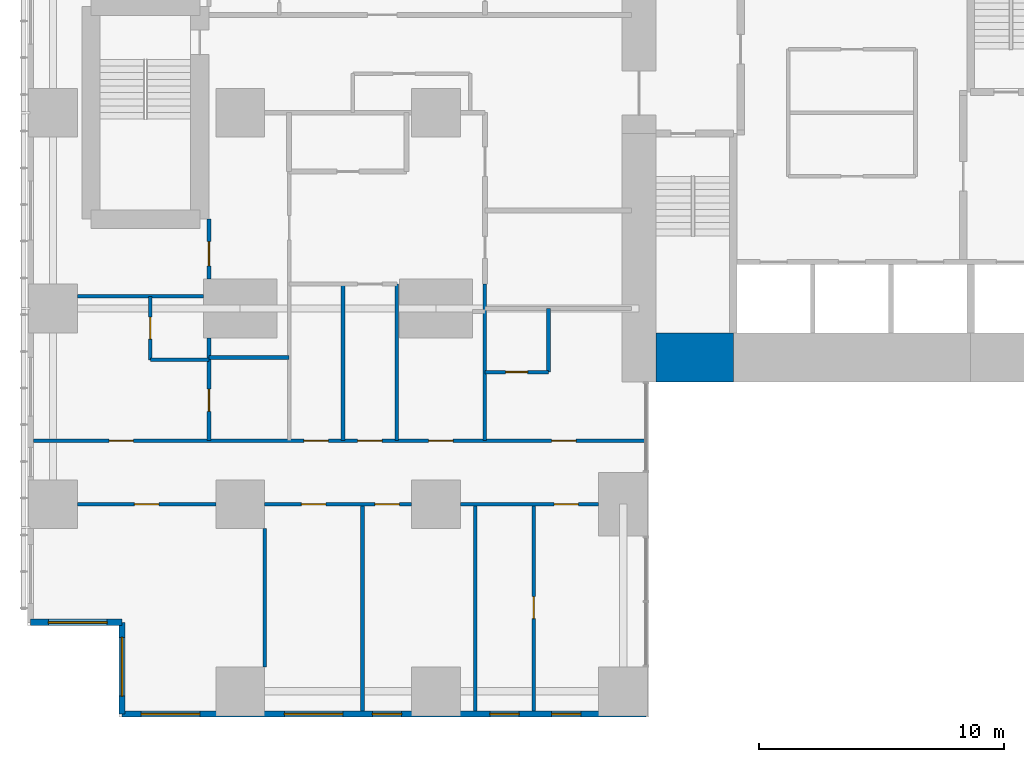
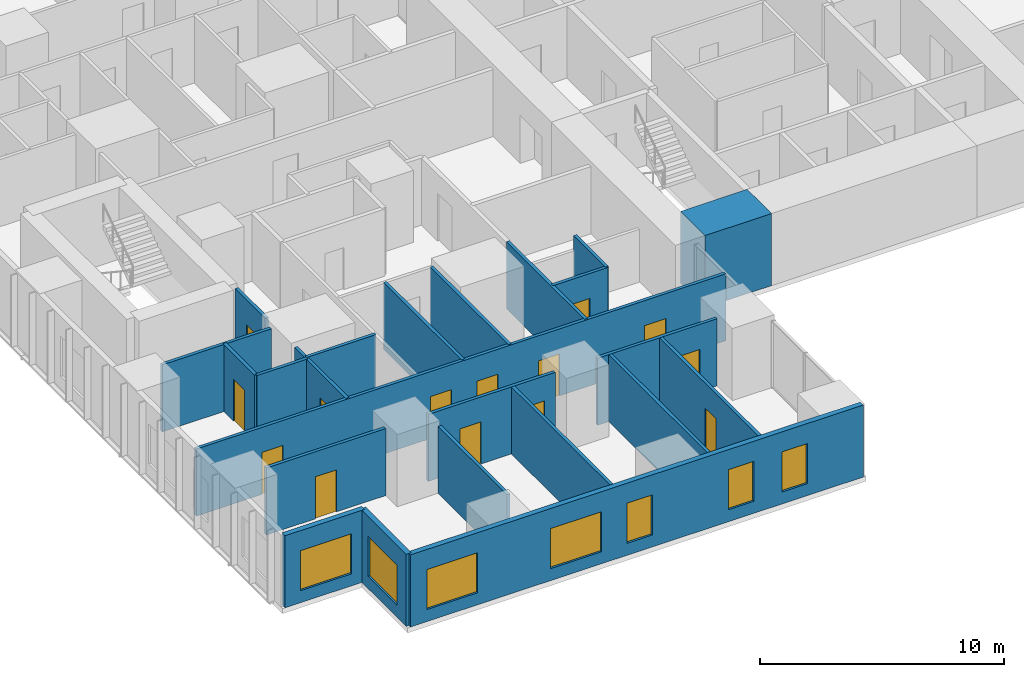
# One storey, part 12 of 20: 23 walls, 14 doors, 7 windows, 21 openings.
"""IFC4 building model written with IfcOpenShell, lengths in metres."""

from ifc_helpers import new_model, si_unit, direction, frame, frame_2d, origin, place, context, subcontext, project, spatial, rectangle, extrude, material, layer, layer_set, type_object, element, fill, save


model = new_model("IFC4")

# Units and contexts
model_context = context("Model", 3, precision=1e-05, world=origin(), true_north=direction((0.0, 1.0)))
body_context = subcontext(model_context, "Body", "Model", "MODEL_VIEW")
ifc_project = project(units=[si_unit("LENGTHUNIT", "METRE"), si_unit("AREAUNIT", "SQUARE_METRE"), si_unit("VOLUMEUNIT", "CUBIC_METRE"), si_unit("PLANEANGLEUNIT", "RADIAN"), si_unit("MASSUNIT", "GRAM", prefix="KILO")], contexts=[model_context])

# Site, building, storey
site_placement = place(None, origin())
site = spatial("IfcSite", under=ifc_project, at=site_placement, CompositionType="ELEMENT")
building_placement = place(site_placement, origin())
building = spatial("IfcBuilding", under=site, at=building_placement, Name="Cleftline Residences", CompositionType="ELEMENT")
storey_placement = place(building_placement, frame((0.0, 0.0, 40.39990234375)))
storey = spatial("IfcBuildingStorey", under=building, at=storey_placement, Name="L09", CompositionType="ELEMENT", Elevation=40.39990234375)

# Wall
ifc_material_1 = material(Name="Concrete B70", Category="concrete")
ifc_layer_1 = layer(ifc_material_1, 2.0)
ifc_layer_set_1 = layer_set([ifc_layer_1], Name="CORE WALL 2000")
wall_type_1 = type_object("IfcWallType", Name="CORE WALL 2000", PredefinedType="SHEAR", material=ifc_layer_set_1)
wall_1_placement = place(storey_placement, frame((25.0, 14.0, 0.0), z_axis=(0.0, 0.0, 1.0), x_axis=(1.0, 0.0, 0.0)))
element("IfcWall", 1, at=wall_1_placement, inside=storey, type_object=wall_type_1, Name="Core wall S1", PredefinedType="SHEAR", context=body_context, shape_type="SweptSolid", body=[
    extrude(rectangle(XDim=3.14990234375, YDim=2.0, at=frame_2d((1.574951171875, 0.0))), origin(), (0.0, 0.0, 1.0), 3.60009765625),
])

# Wall, opening, window
ifc_material_2 = material(Name="Rendered reinforced concrete blockwork", Category="masonry")
ifc_layer_2 = layer(ifc_material_2, 0.25)
ifc_layer_set_2 = layer_set([ifc_layer_2], Name="EXTERNAL WALL 250")
wall_type_2 = type_object("IfcWallType", Name="EXTERNAL WALL 250", PredefinedType="SOLIDWALL", material=ifc_layer_set_2)
wall_2_placement = place(storey_placement, frame((-0.574951171875, 3.175048828125, 0.0), z_axis=(0.0, 0.0, 1.0), x_axis=(1.0, 0.0, 0.0)))
wall_2 = element("IfcWall", 2, at=wall_2_placement, inside=storey, type_object=wall_type_2, Name="External wall", PredefinedType="SOLIDWALL", context=body_context, shape_type="SweptSolid", body=[
    extrude(rectangle(XDim=3.75, YDim=0.25, at=frame_2d((1.875, 0.0))), origin(), (0.0, 0.0, 1.0), 3.60009765625),
])
opening_1_placement = place(wall_2_placement, frame((0.737548828125, 0.0, 0.60009765625)))
opening_1 = element("IfcOpeningElement", 3, at=opening_1_placement, cuts=wall_2, Name="Opening W6", PredefinedType="OPENING", context=body_context, shape_type="SweptSolid", body=[
    extrude(rectangle(XDim=2.39990234375, YDim=2.0, at=frame_2d((1.199951171875, 1.0))), frame((0.0, 0.135009765625, 0.0), z_axis=(0.0, -1.0, 0.0), x_axis=(1.0, 0.0, 0.0)), (0.0, 0.0, 1.0), 0.27001953125),
])
ifc_material_3 = material(Name="Aluminium frame, clear double glazing", Category="aluminium")
window_type_1 = type_object("IfcWindowType", Name="WINDOW 2400X2000", PartitioningType="DOUBLE_PANEL_VERTICAL", PredefinedType="WINDOW", material=ifc_material_3)
window_1_placement = place(opening_1_placement, origin())
window_1 = element("IfcWindow", 4, at=window_1_placement, inside=storey, type_object=window_type_1, Name="Window", OverallHeight=2.0, OverallWidth=2.39990234375, PartitioningType="SINGLE_PANEL", PredefinedType="WINDOW", context=body_context, shape_type="SweptSolid", body=[
    extrude(rectangle(XDim=2.39990234375, YDim=2.0, at=frame_2d((1.199951171875, 1.0))), frame((0.0, 0.030029296875, 0.0), z_axis=(0.0, -1.0, 0.0), x_axis=(1.0, 0.0, 0.0)), (0.0, 0.0, 1.0), 0.06005859375),
])
fill(opening_1, window_1)

wall_3_placement = place(storey_placement, frame((3.175048828125, 3.175048828125, 0.0), z_axis=(0.0, 0.0, 1.0), x_axis=(0.0, -1.0, 0.0)))
wall_3 = element("IfcWall", 5, at=wall_3_placement, inside=storey, type_object=wall_type_2, Name="External wall", PredefinedType="SOLIDWALL", context=body_context, shape_type="SweptSolid", body=[
    extrude(rectangle(XDim=3.75, YDim=0.25, at=frame_2d((1.875, 0.0))), origin(), (0.0, 0.0, 1.0), 3.60009765625),
])
opening_2_placement = place(wall_3_placement, frame((0.612548828125, 0.0, 0.60009765625)))
opening_2 = element("IfcOpeningElement", 6, at=opening_2_placement, cuts=wall_3, Name="Opening W6", PredefinedType="OPENING", context=body_context, shape_type="SweptSolid", body=[
    extrude(rectangle(XDim=2.39990234375, YDim=2.0, at=frame_2d((1.199951171875, 1.0))), frame((0.0, 0.135009765625, 0.0), z_axis=(0.0, -1.0, 0.0), x_axis=(1.0, 0.0, 0.0)), (0.0, 0.0, 1.0), 0.27001953125),
])
window_2_placement = place(opening_2_placement, origin())
window_2 = element("IfcWindow", 7, at=window_2_placement, inside=storey, type_object=window_type_1, Name="Window", OverallHeight=2.0, OverallWidth=2.39990234375, PartitioningType="SINGLE_PANEL", PredefinedType="WINDOW", context=body_context, shape_type="SweptSolid", body=[
    extrude(rectangle(XDim=2.39990234375, YDim=2.0, at=frame_2d((1.199951171875, 1.0))), frame((0.0, 0.030029296875, 0.0), z_axis=(0.0, -1.0, 0.0), x_axis=(1.0, 0.0, 0.0)), (0.0, 0.0, 1.0), 0.06005859375),
])
fill(opening_2, window_2)

# Wall, openings, windows
wall_4_placement = place(storey_placement, frame((3.175048828125, -0.574951171875, 0.0), z_axis=(0.0, 0.0, 1.0), x_axis=(1.0, 0.0, 0.0)))
wall_4 = element("IfcWall", 8, at=wall_4_placement, inside=storey, type_object=wall_type_2, Name="External wall", PredefinedType="SOLIDWALL", context=body_context, shape_type="SweptSolid", body=[
    extrude(rectangle(XDim=21.39990234375, YDim=0.25, at=frame_2d((10.699951171875, 0.0))), origin(), (0.0, 0.0, 1.0), 3.60009765625),
])
opening_3_placement = place(wall_4_placement, frame((0.77490234375, 0.0, 0.60009765625)))
opening_3 = element("IfcOpeningElement", 9, at=opening_3_placement, cuts=wall_4, Name="Opening W6", PredefinedType="OPENING", context=body_context, shape_type="SweptSolid", body=[
    extrude(rectangle(XDim=2.39990234375, YDim=2.0, at=frame_2d((1.199951171875, 1.0))), frame((0.0, 0.135009765625, 0.0), z_axis=(0.0, -1.0, 0.0), x_axis=(1.0, 0.0, 0.0)), (0.0, 0.0, 1.0), 0.27001953125),
])
opening_4_placement = place(wall_4_placement, frame((6.625, 0.0, 0.60009765625)))
opening_4 = element("IfcOpeningElement", 10, at=opening_4_placement, cuts=wall_4, Name="Opening W6", PredefinedType="OPENING", context=body_context, shape_type="SweptSolid", body=[
    extrude(rectangle(XDim=2.39990234375, YDim=2.0, at=frame_2d((1.199951171875, 1.0))), frame((0.0, 0.135009765625, 0.0), z_axis=(0.0, -1.0, 0.0), x_axis=(1.0, 0.0, 0.0)), (0.0, 0.0, 1.0), 0.27001953125),
])
opening_5_placement = place(wall_4_placement, frame((10.22509765625, 0.0, 0.60009765625)))
opening_5 = element("IfcOpeningElement", 11, at=opening_5_placement, cuts=wall_4, Name="Opening W8", PredefinedType="OPENING", context=body_context, shape_type="SweptSolid", body=[
    extrude(rectangle(XDim=1.199951171875, YDim=2.0, at=frame_2d((0.60009765625, 1.0))), frame((0.0, 0.135009765625, 0.0), z_axis=(0.0, -1.0, 0.0), x_axis=(1.0, 0.0, 0.0)), (0.0, 0.0, 1.0), 0.27001953125),
])
opening_6_placement = place(wall_4_placement, frame((15.02490234375, 0.0, 0.60009765625)))
opening_6 = element("IfcOpeningElement", 12, at=opening_6_placement, cuts=wall_4, Name="Opening W8", PredefinedType="OPENING", context=body_context, shape_type="SweptSolid", body=[
    extrude(rectangle(XDim=1.199951171875, YDim=2.0, at=frame_2d((0.60009765625, 1.0))), frame((0.0, 0.135009765625, 0.0), z_axis=(0.0, -1.0, 0.0), x_axis=(1.0, 0.0, 0.0)), (0.0, 0.0, 1.0), 0.27001953125),
])
opening_7_placement = place(wall_4_placement, frame((17.550048828125, 0.0, 0.60009765625)))
opening_7 = element("IfcOpeningElement", 13, at=opening_7_placement, cuts=wall_4, Name="Opening W8", PredefinedType="OPENING", context=body_context, shape_type="SweptSolid", body=[
    extrude(rectangle(XDim=1.199951171875, YDim=2.0, at=frame_2d((0.60009765625, 1.0))), frame((0.0, 0.135009765625, 0.0), z_axis=(0.0, -1.0, 0.0), x_axis=(1.0, 0.0, 0.0)), (0.0, 0.0, 1.0), 0.27001953125),
])
ifc_material_4 = material(Name="Aluminium frame, clear double glazing", Category="aluminium")
window_type_2 = type_object("IfcWindowType", Name="WINDOW 1200X2000", PartitioningType="DOUBLE_PANEL_VERTICAL", PredefinedType="WINDOW", material=ifc_material_4)
window_3_placement = place(opening_5_placement, origin())
window_3 = element("IfcWindow", 14, at=window_3_placement, inside=storey, type_object=window_type_2, Name="Window", OverallHeight=2.0, OverallWidth=1.199951171875, PartitioningType="SINGLE_PANEL", PredefinedType="WINDOW", context=body_context, shape_type="SweptSolid", body=[
    extrude(rectangle(XDim=1.199951171875, YDim=2.0, at=frame_2d((0.60009765625, 1.0))), frame((0.0, 0.030029296875, 0.0), z_axis=(0.0, -1.0, 0.0), x_axis=(1.0, 0.0, 0.0)), (0.0, 0.0, 1.0), 0.06005859375),
])
fill(opening_5, window_3)
window_4_placement = place(opening_6_placement, origin())
window_4 = element("IfcWindow", 15, at=window_4_placement, inside=storey, type_object=window_type_2, Name="Window", OverallHeight=2.0, OverallWidth=1.199951171875, PartitioningType="SINGLE_PANEL", PredefinedType="WINDOW", context=body_context, shape_type="SweptSolid", body=[
    extrude(rectangle(XDim=1.199951171875, YDim=2.0, at=frame_2d((0.60009765625, 1.0))), frame((0.0, 0.030029296875, 0.0), z_axis=(0.0, -1.0, 0.0), x_axis=(1.0, 0.0, 0.0)), (0.0, 0.0, 1.0), 0.06005859375),
])
fill(opening_6, window_4)
window_5_placement = place(opening_7_placement, origin())
window_5 = element("IfcWindow", 16, at=window_5_placement, inside=storey, type_object=window_type_2, Name="Window", OverallHeight=2.0, OverallWidth=1.199951171875, PartitioningType="SINGLE_PANEL", PredefinedType="WINDOW", context=body_context, shape_type="SweptSolid", body=[
    extrude(rectangle(XDim=1.199951171875, YDim=2.0, at=frame_2d((0.60009765625, 1.0))), frame((0.0, 0.030029296875, 0.0), z_axis=(0.0, -1.0, 0.0), x_axis=(1.0, 0.0, 0.0)), (0.0, 0.0, 1.0), 0.06005859375),
])
fill(opening_7, window_5)
window_6_placement = place(opening_3_placement, origin())
window_6 = element("IfcWindow", 17, at=window_6_placement, inside=storey, type_object=window_type_1, Name="Window", OverallHeight=2.0, OverallWidth=2.39990234375, PartitioningType="SINGLE_PANEL", PredefinedType="WINDOW", context=body_context, shape_type="SweptSolid", body=[
    extrude(rectangle(XDim=2.39990234375, YDim=2.0, at=frame_2d((1.199951171875, 1.0))), frame((0.0, 0.030029296875, 0.0), z_axis=(0.0, -1.0, 0.0), x_axis=(1.0, 0.0, 0.0)), (0.0, 0.0, 1.0), 0.06005859375),
])
fill(opening_3, window_6)
window_7_placement = place(opening_4_placement, origin())
window_7 = element("IfcWindow", 18, at=window_7_placement, inside=storey, type_object=window_type_1, Name="Window", OverallHeight=2.0, OverallWidth=2.39990234375, PartitioningType="SINGLE_PANEL", PredefinedType="WINDOW", context=body_context, shape_type="SweptSolid", body=[
    extrude(rectangle(XDim=2.39990234375, YDim=2.0, at=frame_2d((1.199951171875, 1.0))), frame((0.0, 0.030029296875, 0.0), z_axis=(0.0, -1.0, 0.0), x_axis=(1.0, 0.0, 0.0)), (0.0, 0.0, 1.0), 0.06005859375),
])
fill(opening_4, window_7)

# Wall, opening, door
ifc_material_5 = material(Name="Gypsum board on steel studs", Category="steel")
ifc_layer_3 = layer(ifc_material_5, 0.14990234375)
ifc_layer_set_3 = layer_set([ifc_layer_3], Name="PARTITION 150")
wall_type_3 = type_object("IfcWallType", Name="PARTITION 150", PredefinedType="PARTITIONING", material=ifc_layer_set_3)
wall_5_placement = place(storey_placement, frame((1.35009765625, 8.0, 0.0), z_axis=(0.0, 0.0, 1.0), x_axis=(1.0, 0.0, 0.0)))
wall_5 = element("IfcWall", 19, at=wall_5_placement, inside=storey, type_object=wall_type_3, Name="Partition", PredefinedType="PARTITIONING", context=body_context, shape_type="SweptSolid", body=[
    extrude(rectangle(XDim=5.64990234375, YDim=0.14990234375, at=frame_2d((2.824951171875, 0.0))), origin(), (0.0, 0.0, 1.0), 3.35009765625),
])
opening_8_placement = place(wall_5_placement, frame((2.324951171875, 0.0, 0.0)))
opening_8 = element("IfcOpeningElement", 20, at=opening_8_placement, cuts=wall_5, Name="Opening D2", PredefinedType="OPENING", context=body_context, shape_type="SweptSolid", body=[
    extrude(rectangle(XDim=1.0, YDim=2.10009765625, at=frame_2d((0.5, 1.050048828125))), frame((0.0, 0.0849609375, 0.0), z_axis=(0.0, -1.0, 0.0), x_axis=(1.0, 0.0, 0.0)), (0.0, 0.0, 1.0), 0.169921875),
])
ifc_material_6 = material(Name="Timber veneer on solid core", Category="wood")
door_type_1 = type_object("IfcDoorType", Name="DOOR 1000X2100", OperationType="SINGLE_SWING_LEFT", PredefinedType="DOOR", material=ifc_material_6)
door_1_placement = place(opening_8_placement, origin())
door_1 = element("IfcDoor", 21, at=door_1_placement, inside=storey, type_object=door_type_1, Name="Door to living room", OperationType="SINGLE_SWING_LEFT", OverallHeight=2.10009765625, OverallWidth=1.0, PredefinedType="DOOR", context=body_context, shape_type="SweptSolid", body=[
    extrude(rectangle(XDim=1.0, YDim=2.10009765625, at=frame_2d((0.5, 1.050048828125))), frame((0.0, 0.02490234375, 0.0), z_axis=(0.0, -1.0, 0.0), x_axis=(1.0, 0.0, 0.0)), (0.0, 0.0, 1.0), 0.050048828125),
])
fill(opening_8, door_1)

# Wall, openings, doors
wall_6_placement = place(storey_placement, frame((9.0, 8.0, 0.0), z_axis=(0.0, 0.0, 1.0), x_axis=(1.0, 0.0, 0.0)))
wall_6 = element("IfcWall", 22, at=wall_6_placement, inside=storey, type_object=wall_type_3, Name="Partition", PredefinedType="PARTITIONING", context=body_context, shape_type="SweptSolid", body=[
    extrude(rectangle(XDim=6.0, YDim=0.14990234375, at=frame_2d((3.0, 0.0))), origin(), (0.0, 0.0, 1.0), 3.35009765625),
])
opening_9_placement = place(wall_6_placement, frame((1.5, 0.0, 0.0)))
opening_9 = element("IfcOpeningElement", 23, at=opening_9_placement, cuts=wall_6, Name="Opening D2", PredefinedType="OPENING", context=body_context, shape_type="SweptSolid", body=[
    extrude(rectangle(XDim=1.0, YDim=2.10009765625, at=frame_2d((0.5, 1.050048828125))), frame((0.0, 0.0849609375, 0.0), z_axis=(0.0, -1.0, 0.0), x_axis=(1.0, 0.0, 0.0)), (0.0, 0.0, 1.0), 0.169921875),
])
opening_10_placement = place(wall_6_placement, frame((4.5, 0.0, 0.0)))
opening_10 = element("IfcOpeningElement", 24, at=opening_10_placement, cuts=wall_6, Name="Opening D2", PredefinedType="OPENING", context=body_context, shape_type="SweptSolid", body=[
    extrude(rectangle(XDim=1.0, YDim=2.10009765625, at=frame_2d((0.5, 1.050048828125))), frame((0.0, 0.0849609375, 0.0), z_axis=(0.0, -1.0, 0.0), x_axis=(1.0, 0.0, 0.0)), (0.0, 0.0, 1.0), 0.169921875),
])
door_2_placement = place(opening_9_placement, origin())
door_2 = element("IfcDoor", 25, at=door_2_placement, inside=storey, type_object=door_type_1, Name="Door to dining room", OperationType="SINGLE_SWING_RIGHT", OverallHeight=2.10009765625, OverallWidth=1.0, PredefinedType="DOOR", context=body_context, shape_type="SweptSolid", body=[
    extrude(rectangle(XDim=1.0, YDim=2.10009765625, at=frame_2d((0.5, 1.050048828125))), frame((0.0, 0.02490234375, 0.0), z_axis=(0.0, -1.0, 0.0), x_axis=(1.0, 0.0, 0.0)), (0.0, 0.0, 1.0), 0.050048828125),
])
fill(opening_9, door_2)
door_3_placement = place(opening_10_placement, origin())
door_3 = element("IfcDoor", 26, at=door_3_placement, inside=storey, type_object=door_type_1, Name="Door to show kitchen", OperationType="SINGLE_SWING_LEFT", OverallHeight=2.10009765625, OverallWidth=1.0, PredefinedType="DOOR", context=body_context, shape_type="SweptSolid", body=[
    extrude(rectangle(XDim=1.0, YDim=2.10009765625, at=frame_2d((0.5, 1.050048828125))), frame((0.0, 0.02490234375, 0.0), z_axis=(0.0, -1.0, 0.0), x_axis=(1.0, 0.0, 0.0)), (0.0, 0.0, 1.0), 0.050048828125),
])
fill(opening_10, door_3)

# Wall, opening, door
wall_7_placement = place(storey_placement, frame((17.0, 8.0, 0.0), z_axis=(0.0, 0.0, 1.0), x_axis=(1.0, 0.0, 0.0)))
wall_7 = element("IfcWall", 27, at=wall_7_placement, inside=storey, type_object=wall_type_3, Name="Partition", PredefinedType="PARTITIONING", context=body_context, shape_type="SweptSolid", body=[
    extrude(rectangle(XDim=5.64990234375, YDim=0.14990234375, at=frame_2d((2.824951171875, 0.0))), origin(), (0.0, 0.0, 1.0), 3.35009765625),
])
opening_11_placement = place(wall_7_placement, frame((3.824951171875, 0.0, 0.0)))
opening_11 = element("IfcOpeningElement", 28, at=opening_11_placement, cuts=wall_7, Name="Opening D2", PredefinedType="OPENING", context=body_context, shape_type="SweptSolid", body=[
    extrude(rectangle(XDim=1.0, YDim=2.10009765625, at=frame_2d((0.5, 1.050048828125))), frame((0.0, 0.0849609375, 0.0), z_axis=(0.0, -1.0, 0.0), x_axis=(1.0, 0.0, 0.0)), (0.0, 0.0, 1.0), 0.169921875),
])
door_4_placement = place(opening_11_placement, origin())
door_4 = element("IfcDoor", 29, at=door_4_placement, inside=storey, type_object=door_type_1, Name="Door to bedroom 2", OperationType="SINGLE_SWING_LEFT", OverallHeight=2.10009765625, OverallWidth=1.0, PredefinedType="DOOR", context=body_context, shape_type="SweptSolid", body=[
    extrude(rectangle(XDim=1.0, YDim=2.10009765625, at=frame_2d((0.5, 1.050048828125))), frame((0.0, 0.02490234375, 0.0), z_axis=(0.0, -1.0, 0.0), x_axis=(1.0, 0.0, 0.0)), (0.0, 0.0, 1.0), 0.050048828125),
])
fill(opening_11, door_4)

# Wall, openings, doors
wall_8_placement = place(storey_placement, frame((-0.449951171875, 10.60009765625, 0.0), z_axis=(0.0, 0.0, 1.0), x_axis=(1.0, 0.0, 0.0)))
wall_8 = element("IfcWall", 30, at=wall_8_placement, inside=storey, type_object=wall_type_3, Name="Partition", PredefinedType="PARTITIONING", context=body_context, shape_type="SweptSolid", body=[
    extrude(rectangle(XDim=25.010986328125, YDim=0.14990234375, at=frame_2d((12.50537109375, 0.0))), origin(), (0.0, 0.0, 1.0), 3.35009765625),
])
opening_12_placement = place(wall_8_placement, frame((13.25, 0.0, 0.0)))
opening_12 = element("IfcOpeningElement", 31, at=opening_12_placement, cuts=wall_8, Name="Opening D2", PredefinedType="OPENING", context=body_context, shape_type="SweptSolid", body=[
    extrude(rectangle(XDim=1.0, YDim=2.10009765625, at=frame_2d((0.5, 1.050048828125))), frame((0.0, 0.0849609375, 0.0), z_axis=(0.0, -1.0, 0.0), x_axis=(1.0, 0.0, 0.0)), (0.0, 0.0, 1.0), 0.169921875),
])
opening_13_placement = place(wall_8_placement, frame((3.08740234375, 0.0, 0.0)))
opening_13 = element("IfcOpeningElement", 32, at=opening_13_placement, cuts=wall_8, Name="Opening D2", PredefinedType="OPENING", context=body_context, shape_type="SweptSolid", body=[
    extrude(rectangle(XDim=1.0, YDim=2.10009765625, at=frame_2d((0.5, 1.050048828125))), frame((0.0, 0.0849609375, 0.0), z_axis=(0.0, -1.0, 0.0), x_axis=(1.0, 0.0, 0.0)), (0.0, 0.0, 1.0), 0.169921875),
])
opening_14_placement = place(wall_8_placement, frame((11.050048828125, 0.0, 0.0)))
opening_14 = element("IfcOpeningElement", 33, at=opening_14_placement, cuts=wall_8, Name="Opening D2", PredefinedType="OPENING", context=body_context, shape_type="SweptSolid", body=[
    extrude(rectangle(XDim=1.0, YDim=2.10009765625, at=frame_2d((0.5, 1.050048828125))), frame((0.0, 0.0849609375, 0.0), z_axis=(0.0, -1.0, 0.0), x_axis=(1.0, 0.0, 0.0)), (0.0, 0.0, 1.0), 0.169921875),
])
opening_15_placement = place(wall_8_placement, frame((16.14990234375, 0.0, 0.0)))
opening_15 = element("IfcOpeningElement", 34, at=opening_15_placement, cuts=wall_8, Name="Opening D2", PredefinedType="OPENING", context=body_context, shape_type="SweptSolid", body=[
    extrude(rectangle(XDim=1.0, YDim=2.10009765625, at=frame_2d((0.5, 1.050048828125))), frame((0.0, 0.0849609375, 0.0), z_axis=(0.0, -1.0, 0.0), x_axis=(1.0, 0.0, 0.0)), (0.0, 0.0, 1.0), 0.169921875),
])
opening_16_placement = place(wall_8_placement, frame((21.175048828125, 0.0, 0.0)))
opening_16 = element("IfcOpeningElement", 35, at=opening_16_placement, cuts=wall_8, Name="Opening D2", PredefinedType="OPENING", context=body_context, shape_type="SweptSolid", body=[
    extrude(rectangle(XDim=1.0, YDim=2.10009765625, at=frame_2d((0.5, 1.050048828125))), frame((0.0, 0.0849609375, 0.0), z_axis=(0.0, -1.0, 0.0), x_axis=(1.0, 0.0, 0.0)), (0.0, 0.0, 1.0), 0.169921875),
])
door_5_placement = place(opening_12_placement, origin())
door_5 = element("IfcDoor", 36, at=door_5_placement, inside=storey, type_object=door_type_1, Name="Door to residence hall", OperationType="SINGLE_SWING_LEFT", OverallHeight=2.10009765625, OverallWidth=1.0, PredefinedType="DOOR", context=body_context, shape_type="SweptSolid", body=[
    extrude(rectangle(XDim=1.0, YDim=2.10009765625, at=frame_2d((0.5, 1.050048828125))), frame((0.0, 0.02490234375, 0.0), z_axis=(0.0, -1.0, 0.0), x_axis=(1.0, 0.0, 0.0)), (0.0, 0.0, 1.0), 0.050048828125),
])
fill(opening_12, door_5)
door_6_placement = place(opening_13_placement, origin())
door_6 = element("IfcDoor", 37, at=door_6_placement, inside=storey, type_object=door_type_1, Name="Door to master bedroom", OperationType="SINGLE_SWING_RIGHT", OverallHeight=2.10009765625, OverallWidth=1.0, PredefinedType="DOOR", context=body_context, shape_type="SweptSolid", body=[
    extrude(rectangle(XDim=1.0, YDim=2.10009765625, at=frame_2d((0.5, 1.050048828125))), frame((0.0, 0.02490234375, 0.0), z_axis=(0.0, -1.0, 0.0), x_axis=(1.0, 0.0, 0.0)), (0.0, 0.0, 1.0), 0.050048828125),
])
fill(opening_13, door_6)
door_7_placement = place(opening_14_placement, origin())
door_7 = element("IfcDoor", 38, at=door_7_placement, inside=storey, type_object=door_type_1, Name="Door to wet kitchen", OperationType="SINGLE_SWING_RIGHT", OverallHeight=2.10009765625, OverallWidth=1.0, PredefinedType="DOOR", context=body_context, shape_type="SweptSolid", body=[
    extrude(rectangle(XDim=1.0, YDim=2.10009765625, at=frame_2d((0.5, 1.050048828125))), frame((0.0, 0.02490234375, 0.0), z_axis=(0.0, -1.0, 0.0), x_axis=(1.0, 0.0, 0.0)), (0.0, 0.0, 1.0), 0.050048828125),
])
fill(opening_14, door_7)
door_8_placement = place(opening_15_placement, origin())
door_8 = element("IfcDoor", 39, at=door_8_placement, inside=storey, type_object=door_type_1, Name="Door to family room", OperationType="SINGLE_SWING_LEFT", OverallHeight=2.10009765625, OverallWidth=1.0, PredefinedType="DOOR", context=body_context, shape_type="SweptSolid", body=[
    extrude(rectangle(XDim=1.0, YDim=2.10009765625, at=frame_2d((0.5, 1.050048828125))), frame((0.0, 0.02490234375, 0.0), z_axis=(0.0, -1.0, 0.0), x_axis=(1.0, 0.0, 0.0)), (0.0, 0.0, 1.0), 0.050048828125),
])
fill(opening_15, door_8)
door_9_placement = place(opening_16_placement, origin())
door_9 = element("IfcDoor", 40, at=door_9_placement, inside=storey, type_object=door_type_1, Name="Door to bedroom 3", OperationType="SINGLE_SWING_LEFT", OverallHeight=2.10009765625, OverallWidth=1.0, PredefinedType="DOOR", context=body_context, shape_type="SweptSolid", body=[
    extrude(rectangle(XDim=1.0, YDim=2.10009765625, at=frame_2d((0.5, 1.050048828125))), frame((0.0, 0.02490234375, 0.0), z_axis=(0.0, -1.0, 0.0), x_axis=(1.0, 0.0, 0.0)), (0.0, 0.0, 1.0), 0.050048828125),
])
fill(opening_16, door_9)

# Wall, opening, door
wall_9_placement = place(storey_placement, frame((18.0, 13.39990234375, 0.0), z_axis=(0.0, 0.0, 1.0), x_axis=(1.0, 0.0, 0.0)))
wall_9 = element("IfcWall", 41, at=wall_9_placement, inside=storey, type_object=wall_type_3, Name="Partition", PredefinedType="PARTITIONING", context=body_context, shape_type="SweptSolid", body=[
    extrude(rectangle(XDim=2.60009765625, YDim=0.14990234375, at=frame_2d((1.300048828125, 0.0))), origin(), (0.0, 0.0, 1.0), 3.35009765625),
])
opening_17_placement = place(wall_9_placement, frame((0.85009765625, 0.0, 0.0)))
opening_17 = element("IfcOpeningElement", 42, at=opening_17_placement, cuts=wall_9, Name="Opening D1", PredefinedType="OPENING", context=body_context, shape_type="SweptSolid", body=[
    extrude(rectangle(XDim=0.89990234375, YDim=2.10009765625, at=frame_2d((0.449951171875, 1.050048828125))), frame((0.0, 0.0849609375, 0.0), z_axis=(0.0, -1.0, 0.0), x_axis=(1.0, 0.0, 0.0)), (0.0, 0.0, 1.0), 0.169921875),
])
ifc_material_7 = material(Name="Timber veneer on solid core", Category="wood")
door_type_2 = type_object("IfcDoorType", Name="DOOR 900X2100", OperationType="SINGLE_SWING_LEFT", PredefinedType="DOOR", material=ifc_material_7)
door_10_placement = place(opening_17_placement, origin())
door_10 = element("IfcDoor", 43, at=door_10_placement, inside=storey, type_object=door_type_2, Name="Door to en-suite bathroom 3", OperationType="SINGLE_SWING_LEFT", OverallHeight=2.10009765625, OverallWidth=0.89990234375, PredefinedType="DOOR", context=body_context, shape_type="SweptSolid", body=[
    extrude(rectangle(XDim=0.89990234375, YDim=2.10009765625, at=frame_2d((0.449951171875, 1.050048828125))), frame((0.0, 0.02490234375, 0.0), z_axis=(0.0, -1.0, 0.0), x_axis=(1.0, 0.0, 0.0)), (0.0, 0.0, 1.0), 0.050048828125),
])
fill(opening_17, door_10)

# Walls
wall_10_placement = place(storey_placement, frame((4.324951171875, 13.89990234375, 0.0), z_axis=(0.0, 0.0, 1.0), x_axis=(1.0, 0.0, 0.0)))
element("IfcWall", 44, at=wall_10_placement, inside=storey, type_object=wall_type_3, Name="Partition", PredefinedType="PARTITIONING", context=body_context, shape_type="SweptSolid", body=[
    extrude(rectangle(XDim=2.400146484375, YDim=0.14990234375, at=frame_2d((1.2001953125, 0.0))), origin(), (0.0, 0.0, 1.0), 3.35009765625),
])
wall_11_placement = place(storey_placement, frame((6.72509765625, 14.0, 0.0), z_axis=(0.0, 0.0, 1.0), x_axis=(1.0, 0.0, 0.0)))
element("IfcWall", 45, at=wall_11_placement, inside=storey, type_object=wall_type_3, Name="Partition", PredefinedType="PARTITIONING", context=body_context, shape_type="SweptSolid", body=[
    extrude(rectangle(XDim=3.27490234375, YDim=0.14990234375, at=frame_2d((1.637451171875, 0.0))), origin(), (0.0, 0.0, 1.0), 3.35009765625),
])
wall_12_placement = place(storey_placement, frame((1.35009765625, 16.5, 0.0), z_axis=(0.0, 0.0, 1.0), x_axis=(1.0, 0.0, 0.0)))
element("IfcWall", 46, at=wall_12_placement, inside=storey, type_object=wall_type_3, Name="Partition", PredefinedType="PARTITIONING", context=body_context, shape_type="SweptSolid", body=[
    extrude(rectangle(XDim=5.14990234375, YDim=0.14990234375, at=frame_2d((2.574951171875, 0.0))), origin(), (0.0, 0.0, 1.0), 3.35009765625),
])

# Wall, opening, door
wall_13_placement = place(storey_placement, frame((4.324951171875, 13.89990234375, 0.0), z_axis=(0.0, 0.0, 1.0), x_axis=(0.0, 1.0, 0.0)))
wall_13 = element("IfcWall", 47, at=wall_13_placement, inside=storey, type_object=wall_type_3, Name="Partition", PredefinedType="PARTITIONING", context=body_context, shape_type="SweptSolid", body=[
    extrude(rectangle(XDim=2.60009765625, YDim=0.14990234375, at=frame_2d((1.300048828125, 0.0))), origin(), (0.0, 0.0, 1.0), 3.35009765625),
])
opening_18_placement = place(wall_13_placement, frame((0.85009765625, 0.0, 0.0)))
opening_18 = element("IfcOpeningElement", 48, at=opening_18_placement, cuts=wall_13, Name="Opening D1", PredefinedType="OPENING", context=body_context, shape_type="SweptSolid", body=[
    extrude(rectangle(XDim=0.89990234375, YDim=2.10009765625, at=frame_2d((0.449951171875, 1.050048828125))), frame((0.0, 0.0849609375, 0.0), z_axis=(0.0, -1.0, 0.0), x_axis=(1.0, 0.0, 0.0)), (0.0, 0.0, 1.0), 0.169921875),
])
door_11_placement = place(opening_18_placement, origin())
door_11 = element("IfcDoor", 49, at=door_11_placement, inside=storey, type_object=door_type_2, Name="Door to master bathroom", OperationType="SINGLE_SWING_LEFT", OverallHeight=2.10009765625, OverallWidth=0.89990234375, PredefinedType="DOOR", context=body_context, shape_type="SweptSolid", body=[
    extrude(rectangle(XDim=0.89990234375, YDim=2.10009765625, at=frame_2d((0.449951171875, 1.050048828125))), frame((0.0, 0.02490234375, 0.0), z_axis=(0.0, -1.0, 0.0), x_axis=(1.0, 0.0, 0.0)), (0.0, 0.0, 1.0), 0.050048828125),
])
fill(opening_18, door_11)

wall_14_placement = place(storey_placement, frame((6.72509765625, 10.60009765625, 0.0), z_axis=(0.0, 0.0, 1.0), x_axis=(0.0, 1.0, 0.0)))
wall_14 = element("IfcWall", 50, at=wall_14_placement, inside=storey, type_object=wall_type_3, Name="Partition", PredefinedType="PARTITIONING", context=body_context, shape_type="SweptSolid", body=[
    extrude(rectangle(XDim=4.199951171875, YDim=0.14990234375, at=frame_2d((2.10009765625, 0.0))), origin(), (0.0, 0.0, 1.0), 3.35009765625),
])
opening_19_placement = place(wall_14_placement, frame((1.199951171875, 0.0, 0.0)))
opening_19 = element("IfcOpeningElement", 51, at=opening_19_placement, cuts=wall_14, Name="Opening D1", PredefinedType="OPENING", context=body_context, shape_type="SweptSolid", body=[
    extrude(rectangle(XDim=0.89990234375, YDim=2.10009765625, at=frame_2d((0.449951171875, 1.050048828125))), frame((0.0, 0.0849609375, 0.0), z_axis=(0.0, -1.0, 0.0), x_axis=(1.0, 0.0, 0.0)), (0.0, 0.0, 1.0), 0.169921875),
])
door_12_placement = place(opening_19_placement, origin())
door_12 = element("IfcDoor", 52, at=door_12_placement, inside=storey, type_object=door_type_2, Name="Door to master dressing room", OperationType="SINGLE_SWING_RIGHT", OverallHeight=2.10009765625, OverallWidth=0.89990234375, PredefinedType="DOOR", context=body_context, shape_type="SweptSolid", body=[
    extrude(rectangle(XDim=0.89990234375, YDim=2.10009765625, at=frame_2d((0.449951171875, 1.050048828125))), frame((0.0, 0.02490234375, 0.0), z_axis=(0.0, -1.0, 0.0), x_axis=(1.0, 0.0, 0.0)), (0.0, 0.0, 1.0), 0.050048828125),
])
fill(opening_19, door_12)

wall_15_placement = place(storey_placement, frame((6.72509765625, 17.199951171875, 0.0), z_axis=(0.0, 0.0, 1.0), x_axis=(0.0, 1.0, 0.0)))
wall_15 = element("IfcWall", 53, at=wall_15_placement, inside=storey, type_object=wall_type_3, Name="Partition", PredefinedType="PARTITIONING", context=body_context, shape_type="SweptSolid", body=[
    extrude(rectangle(XDim=2.449951171875, YDim=0.14990234375, at=frame_2d((1.22509765625, 0.0))), origin(), (0.0, 0.0, 1.0), 3.35009765625),
])
opening_20_placement = place(wall_15_placement, frame((0.53759765625, 0.0, 0.0)))
opening_20 = element("IfcOpeningElement", 54, at=opening_20_placement, cuts=wall_15, Name="Opening D2", PredefinedType="OPENING", context=body_context, shape_type="SweptSolid", body=[
    extrude(rectangle(XDim=1.0, YDim=2.10009765625, at=frame_2d((0.5, 1.050048828125))), frame((0.0, 0.0849609375, 0.0), z_axis=(0.0, -1.0, 0.0), x_axis=(1.0, 0.0, 0.0)), (0.0, 0.0, 1.0), 0.169921875),
])
door_13_placement = place(opening_20_placement, origin())
door_13 = element("IfcDoor", 55, at=door_13_placement, inside=storey, type_object=door_type_1, Name="Door to winter garden", OperationType="SINGLE_SWING_RIGHT", OverallHeight=2.10009765625, OverallWidth=1.0, PredefinedType="DOOR", context=body_context, shape_type="SweptSolid", body=[
    extrude(rectangle(XDim=1.0, YDim=2.10009765625, at=frame_2d((0.5, 1.050048828125))), frame((0.0, 0.02490234375, 0.0), z_axis=(0.0, -1.0, 0.0), x_axis=(1.0, 0.0, 0.0)), (0.0, 0.0, 1.0), 0.050048828125),
])
fill(opening_20, door_13)

# Walls
wall_16_placement = place(storey_placement, frame((9.0, 1.35009765625, 0.0), z_axis=(0.0, 0.0, 1.0), x_axis=(0.0, 1.0, 0.0)))
element("IfcWall", 56, at=wall_16_placement, inside=storey, type_object=wall_type_3, Name="Partition", PredefinedType="PARTITIONING", context=body_context, shape_type="SweptSolid", body=[
    extrude(rectangle(XDim=5.64990234375, YDim=0.14990234375, at=frame_2d((2.824951171875, 0.0))), origin(), (0.0, 0.0, 1.0), 3.35009765625),
])
wall_17_placement = place(storey_placement, frame((12.199951171875, 10.60009765625, 0.0), z_axis=(0.0, 0.0, 1.0), x_axis=(0.0, 1.0, 0.0)))
element("IfcWall", 57, at=wall_17_placement, inside=storey, type_object=wall_type_3, Name="Partition", PredefinedType="PARTITIONING", context=body_context, shape_type="SweptSolid", body=[
    extrude(rectangle(XDim=6.39990234375, YDim=0.14990234375, at=frame_2d((3.199951171875, 0.0))), origin(), (0.0, 0.0, 1.0), 3.35009765625),
])
wall_18_placement = place(storey_placement, frame((13.0, -0.449951171875, 0.0), z_axis=(0.0, 0.0, 1.0), x_axis=(0.0, 1.0, 0.0)))
element("IfcWall", 58, at=wall_18_placement, inside=storey, type_object=wall_type_3, Name="Partition", PredefinedType="PARTITIONING", context=body_context, shape_type="SweptSolid", body=[
    extrude(rectangle(XDim=8.449951171875, YDim=0.14990234375, at=frame_2d((4.22509765625, 0.0))), origin(), (0.0, 0.0, 1.0), 3.35009765625),
])
wall_19_placement = place(storey_placement, frame((14.39990234375, 10.60009765625, 0.0), z_axis=(0.0, 0.0, 1.0), x_axis=(0.0, 1.0, 0.0)))
element("IfcWall", 59, at=wall_19_placement, inside=storey, type_object=wall_type_3, Name="Partition", PredefinedType="PARTITIONING", context=body_context, shape_type="SweptSolid", body=[
    extrude(rectangle(XDim=6.39990234375, YDim=0.14990234375, at=frame_2d((3.199951171875, 0.0))), origin(), (0.0, 0.0, 1.0), 3.35009765625),
])
wall_20_placement = place(storey_placement, frame((17.60009765625, -0.449951171875, 0.0), z_axis=(0.0, 0.0, 1.0), x_axis=(0.0, 1.0, 0.0)))
element("IfcWall", 60, at=wall_20_placement, inside=storey, type_object=wall_type_3, Name="Partition", PredefinedType="PARTITIONING", context=body_context, shape_type="SweptSolid", body=[
    extrude(rectangle(XDim=8.449951171875, YDim=0.14990234375, at=frame_2d((4.22509765625, 0.0))), origin(), (0.0, 0.0, 1.0), 3.35009765625),
])
wall_21_placement = place(storey_placement, frame((18.0, 10.60009765625, 0.0), z_axis=(0.0, 0.0, 1.0), x_axis=(0.0, 1.0, 0.0)))
element("IfcWall", 61, at=wall_21_placement, inside=storey, type_object=wall_type_3, Name="Partition", PredefinedType="PARTITIONING", context=body_context, shape_type="SweptSolid", body=[
    extrude(rectangle(XDim=6.39990234375, YDim=0.14990234375, at=frame_2d((3.199951171875, 0.0))), origin(), (0.0, 0.0, 1.0), 3.35009765625),
])

# Wall, opening, door
wall_22_placement = place(storey_placement, frame((20.0, -0.449951171875, 0.0), z_axis=(0.0, 0.0, 1.0), x_axis=(0.0, 1.0, 0.0)))
wall_22 = element("IfcWall", 62, at=wall_22_placement, inside=storey, type_object=wall_type_3, Name="Partition", PredefinedType="PARTITIONING", context=body_context, shape_type="SweptSolid", body=[
    extrude(rectangle(XDim=8.449951171875, YDim=0.14990234375, at=frame_2d((4.22509765625, 0.0))), origin(), (0.0, 0.0, 1.0), 3.35009765625),
])
opening_21_placement = place(wall_22_placement, frame((3.77490234375, 0.0, 0.0)))
opening_21 = element("IfcOpeningElement", 63, at=opening_21_placement, cuts=wall_22, Name="Opening D1", PredefinedType="OPENING", context=body_context, shape_type="SweptSolid", body=[
    extrude(rectangle(XDim=0.89990234375, YDim=2.10009765625, at=frame_2d((0.449951171875, 1.050048828125))), frame((0.0, 0.0849609375, 0.0), z_axis=(0.0, -1.0, 0.0), x_axis=(1.0, 0.0, 0.0)), (0.0, 0.0, 1.0), 0.169921875),
])
door_14_placement = place(opening_21_placement, origin())
door_14 = element("IfcDoor", 64, at=door_14_placement, inside=storey, type_object=door_type_2, Name="Door to en-suite bathroom 2", OperationType="SINGLE_SWING_LEFT", OverallHeight=2.10009765625, OverallWidth=0.89990234375, PredefinedType="DOOR", context=body_context, shape_type="SweptSolid", body=[
    extrude(rectangle(XDim=0.89990234375, YDim=2.10009765625, at=frame_2d((0.449951171875, 1.050048828125))), frame((0.0, 0.02490234375, 0.0), z_axis=(0.0, -1.0, 0.0), x_axis=(1.0, 0.0, 0.0)), (0.0, 0.0, 1.0), 0.050048828125),
])
fill(opening_21, door_14)

# Wall
wall_23_placement = place(storey_placement, frame((20.60009765625, 13.39990234375, 0.0), z_axis=(0.0, 0.0, 1.0), x_axis=(0.0, 1.0, 0.0)))
element("IfcWall", 65, at=wall_23_placement, inside=storey, type_object=wall_type_3, Name="Partition", PredefinedType="PARTITIONING", context=body_context, shape_type="SweptSolid", body=[
    extrude(rectangle(XDim=2.60009765625, YDim=0.14990234375, at=frame_2d((1.300048828125, 0.0))), origin(), (0.0, 0.0, 1.0), 3.35009765625),
])

save(model, "model.ifc")
